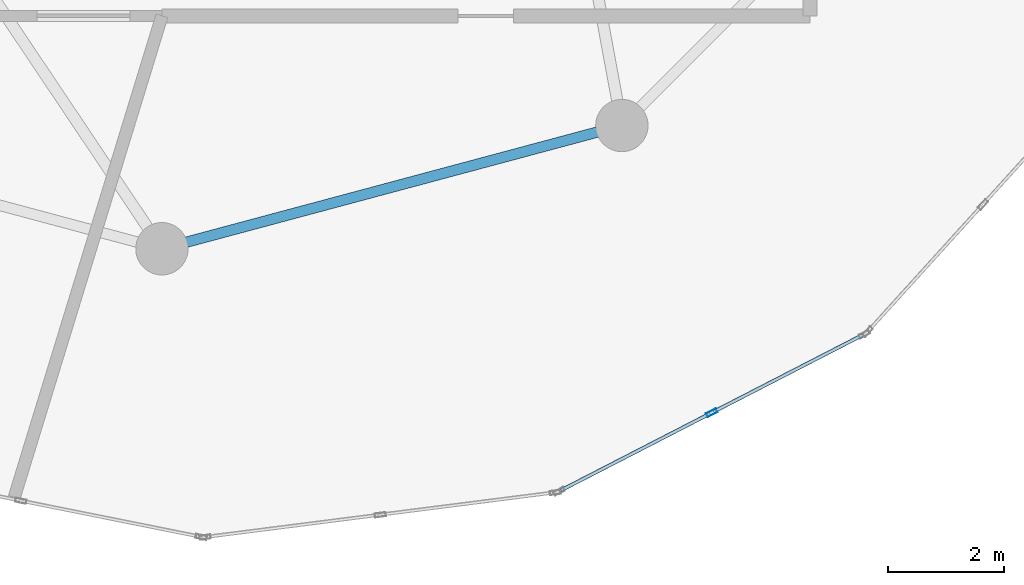
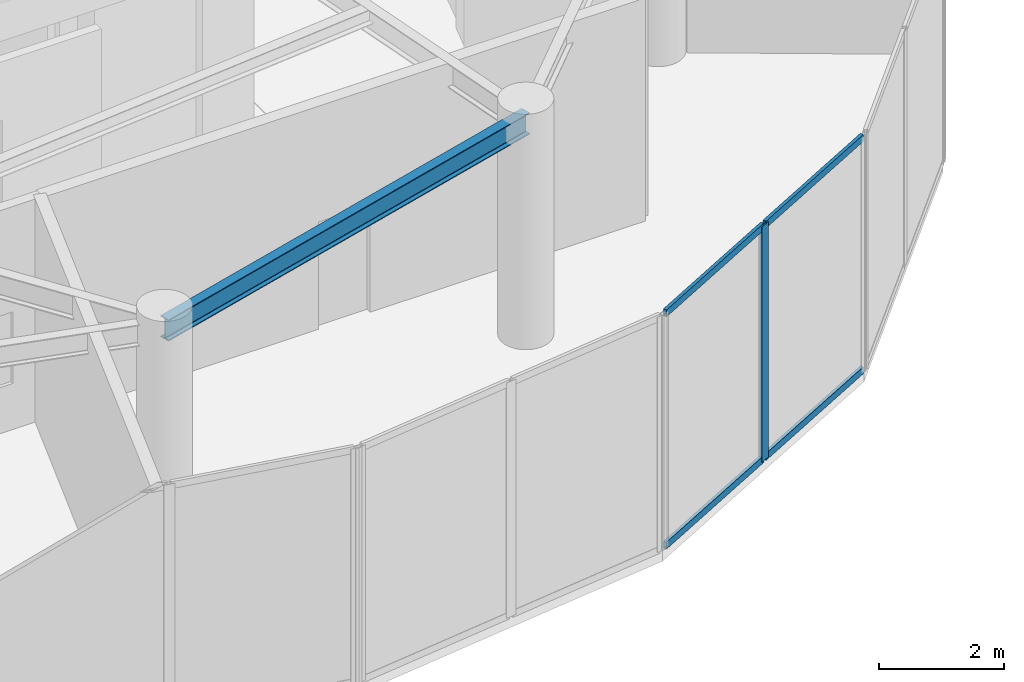
# One storey, part 5 of 23: 5 members, 1 beam, 1 element without a shape of its own.
"""IFC4 building model written with IfcOpenShell, lengths in metres."""

from ifc_helpers import new_model, si_unit, direction, frame, origin, origin_2d, place, context, subcontext, project, spatial, hollow_rectangle, i_section, extrude, source, transform, mapped, material, layer, layer_set, material_profile, profile_set, type_object, element, aggregate, save


model = new_model("IFC4")

# Units and contexts
model_context = context("Model", 3, precision=1e-05, world=origin(), true_north=direction((0.0, 1.0)))
body_context = subcontext(model_context, "Body", "Model", "MODEL_VIEW")
ifc_project = project(units=[si_unit("LENGTHUNIT", "METRE"), si_unit("AREAUNIT", "SQUARE_METRE"), si_unit("VOLUMEUNIT", "CUBIC_METRE"), si_unit("PLANEANGLEUNIT", "RADIAN"), si_unit("MASSUNIT", "GRAM", prefix="KILO")], contexts=[model_context])

# Site, building, storey
site_placement = place(None, origin())
site = spatial("IfcSite", under=ifc_project, at=site_placement, CompositionType="ELEMENT")
building_placement = place(site_placement, origin())
building = spatial("IfcBuilding", under=site, at=building_placement, Name="Solvirekh Grand Hotel", CompositionType="ELEMENT")
storey_placement = place(building_placement, frame((0.0, 0.0, 168.60009765625)))
storey = spatial("IfcBuildingStorey", under=building, at=storey_placement, Name="L43", CompositionType="ELEMENT", Elevation=168.60009765625)

# Beam
ifc_material_1 = material(Name="Steel S355", Category="steel")
ifc_material_profile_1 = material_profile(ifc_material_1, i_section(OverallWidth=0.180908203125, OverallDepth=0.4169921875, WebThickness=0.010009765625, FlangeThickness=0.01611328125, FilletRadius=0.011962890625, at=origin_2d()), Name="W410X85")
ifc_profile_set_1 = profile_set([ifc_material_profile_1], Name="Steel S355")
beam_type = type_object("IfcBeamType", Name="Spandrel_Ring_W410", PredefinedType="SPANDREL", material=ifc_profile_set_1)
beam_placement = place(storey_placement, frame((0.0, -15.800048828125, 4.15185546875), z_axis=(0.965920601923, 0.258838541915, 0.0), x_axis=(-0.258838541915, 0.965920601923, 0.0)))
element("IfcBeam", 1, at=beam_placement, inside=storey, type_object=beam_type, Name="L43 perimeter spandrel beam 10", PredefinedType="SPANDREL", context=body_context, shape_type="SweptSolid", body=[
    extrude(i_section(OverallWidth=0.180908203125, OverallDepth=0.4169921875, WebThickness=0.010009765625, FlangeThickness=0.01611328125, FilletRadius=0.011962890625, at=origin_2d()), origin(), (0.0, 0.0, 1.0), 8.1787109375),
])

# Curtain wall, members
ifc_material_2 = material(Name="Anodized Bronze Aluminium 6063-T6", Category="aluminium")
ifc_layer = layer(ifc_material_2, 0.18994140625)
ifc_layer_set = layer_set([ifc_layer], Name="Anodized Bronze Aluminium 6063-T6")
curtain_wall_type = type_object("IfcCurtainWallType", Name="CW_Sys5_SkyLobbyPanoramaCW", PredefinedType="NOTDEFINED", material=ifc_layer_set)
curtain_wall_placement = place(storey_placement, origin())
curtain_wall = element("IfcCurtainWall", 2, at=curtain_wall_placement, inside=storey, type_object=curtain_wall_type, Name="L43 unitised bronze-glass curtain wall CW-L43-C20", PredefinedType="NOTDEFINED")
ifc_material_profile_2 = material_profile(ifc_material_2, hollow_rectangle(XDim=0.070068359375, YDim=0.18994140625, WallThickness=0.0048828125, at=origin_2d()), Name="ALU RHS 190X70X5")
ifc_profile_set_2 = profile_set([ifc_material_profile_2], Name="Anodized Bronze Aluminium 6063-T6")
member_type_1 = type_object("IfcMemberType", Name="CWMullion_Sys5", PredefinedType="MULLION", material=ifc_profile_set_2)
shared_shape_1 = source(origin(), body_context, "Body", "SweptSolid", [
    extrude(hollow_rectangle(XDim=0.070068359375, YDim=0.18994140625, WallThickness=0.0048828125, at=origin_2d()), origin(), (0.0, 0.0, 1.0), 4.599853515625),
])
member_1_placement = place(storey_placement, frame((9.444091796875, -18.616455078125, 0.0), z_axis=(0.0, 0.0, 1.0), x_axis=(-0.457639535446, 0.889137815862, 0.0)))
member_1 = element("IfcMember", 3, at=member_1_placement, type_object=member_type_1, Name="U05 mullion 2", PredefinedType="MULLION", context=body_context, shape_type="MappedRepresentation", body=[
    mapped(shared_shape_1, transform((0.0, 0.0, 0.0), x_axis=(1.0, 0.0, 0.0), y_axis=(0.0, 1.0, 0.0), z_axis=(0.0, 0.0, 1.0), scale=1.0)),
])
ifc_material_profile_3 = material_profile(ifc_material_2, hollow_rectangle(XDim=0.06005859375, YDim=0.135009765625, WallThickness=0.00390625, at=origin_2d()), Name="ALU RHS 135X60X4")
ifc_profile_set_3 = profile_set([ifc_material_profile_3], Name="Anodized Bronze Aluminium 6063-T6")
member_type_2 = type_object("IfcMemberType", Name="CWTransom_Sys5", PredefinedType="USERDEFINED", material=ifc_profile_set_3)
shared_shape_2 = source(origin(), body_context, "Body", "SweptSolid", [
    extrude(hollow_rectangle(XDim=0.06005859375, YDim=0.135009765625, WallThickness=0.00390625, at=origin_2d()), origin(), (0.0, 0.0, 1.0), 2.878662109375),
])
member_2_placement = place(storey_placement, frame((6.853271484375, -19.949951171875, 0.02978515625), z_axis=(0.889141900231, 0.457631599928, 0.0), x_axis=(-0.457631599928, 0.889141900231, 0.0)))
member_2 = element("IfcMember", 4, at=member_2_placement, type_object=member_type_2, Name="U05 transom 1.1", ObjectType="TRANSOM", PredefinedType="USERDEFINED", context=body_context, shape_type="MappedRepresentation", body=[
    mapped(shared_shape_2, transform((0.0, 0.0, 0.0), x_axis=(1.0, 0.0, 0.0), y_axis=(0.0, 1.0, 0.0), z_axis=(0.0, 0.0, 1.0), scale=1.0)),
])
member_3_placement = place(storey_placement, frame((6.853271484375, -19.949951171875, 4.56982421875), z_axis=(0.889141900231, 0.457631599928, 0.0), x_axis=(-0.457631599928, 0.889141900231, 0.0)))
member_3 = element("IfcMember", 5, at=member_3_placement, type_object=member_type_2, Name="U05 transom 1.2", ObjectType="TRANSOM", PredefinedType="USERDEFINED", context=body_context, shape_type="MappedRepresentation", body=[
    mapped(shared_shape_2, transform((0.0, 0.0, 0.0), x_axis=(1.0, 0.0, 0.0), y_axis=(0.0, 1.0, 0.0), z_axis=(0.0, 0.0, 1.0), scale=1.0)),
])
shared_shape_3 = source(origin(), body_context, "Body", "SweptSolid", [
    extrude(hollow_rectangle(XDim=0.06005859375, YDim=0.135009765625, WallThickness=0.00390625, at=origin_2d()), origin(), (0.0, 0.0, 1.0), 2.87890625),
])
member_4_placement = place(storey_placement, frame((9.47509765625, -18.6005859375, 0.02978515625), z_axis=(0.889107390141, 0.457698644085, 0.0), x_axis=(-0.457698644085, 0.889107390141, 0.0)))
member_4 = element("IfcMember", 6, at=member_4_placement, type_object=member_type_2, Name="U05 transom 2.1", ObjectType="TRANSOM", PredefinedType="USERDEFINED", context=body_context, shape_type="MappedRepresentation", body=[
    mapped(shared_shape_3, transform((0.0, 0.0, 0.0), x_axis=(1.0, 0.0, 0.0), y_axis=(0.0, 1.0, 0.0), z_axis=(0.0, 0.0, 1.0), scale=1.0)),
])
member_5_placement = place(storey_placement, frame((9.47509765625, -18.6005859375, 4.56982421875), z_axis=(0.889107390141, 0.457698644085, 0.0), x_axis=(-0.457698644085, 0.889107390141, 0.0)))
member_5 = element("IfcMember", 7, at=member_5_placement, type_object=member_type_2, Name="U05 transom 2.2", ObjectType="TRANSOM", PredefinedType="USERDEFINED", context=body_context, shape_type="MappedRepresentation", body=[
    mapped(shared_shape_3, transform((0.0, 0.0, 0.0), x_axis=(1.0, 0.0, 0.0), y_axis=(0.0, 1.0, 0.0), z_axis=(0.0, 0.0, 1.0), scale=1.0)),
])
aggregate(curtain_wall, [member_1, member_2, member_3, member_4, member_5])

save(model, "model.ifc")
